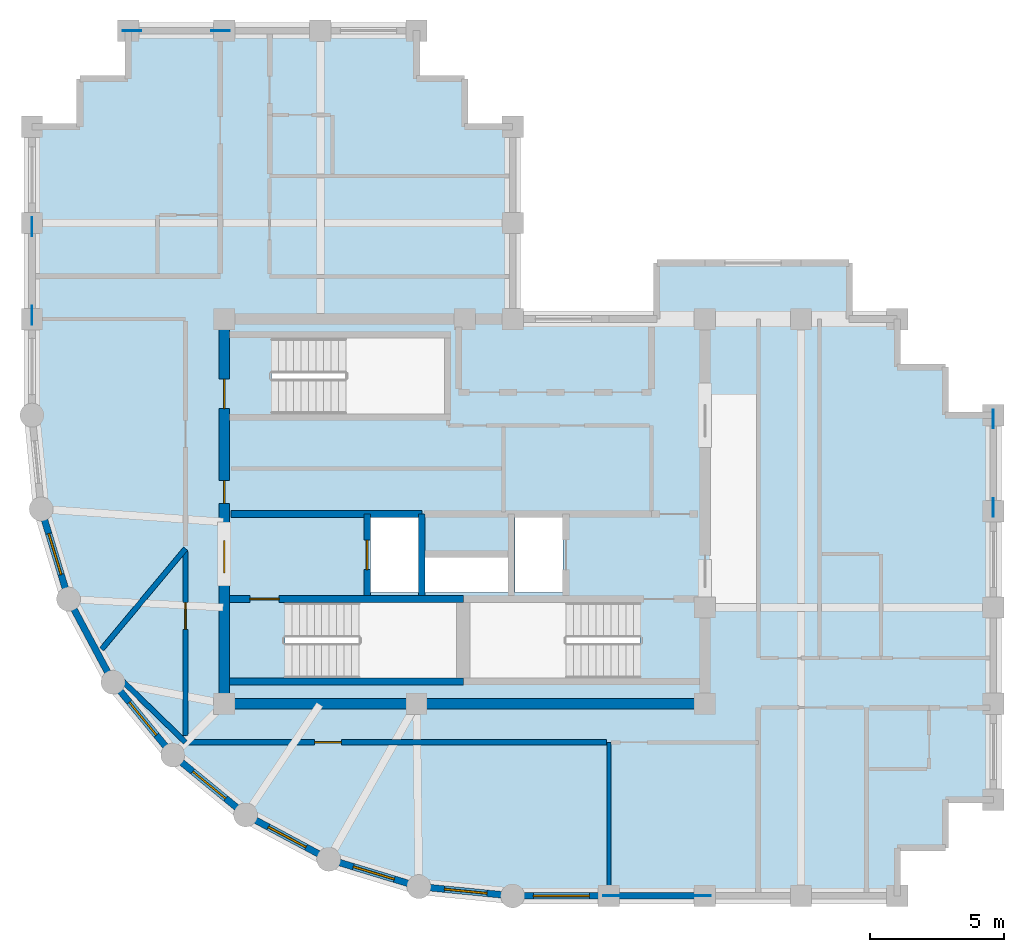
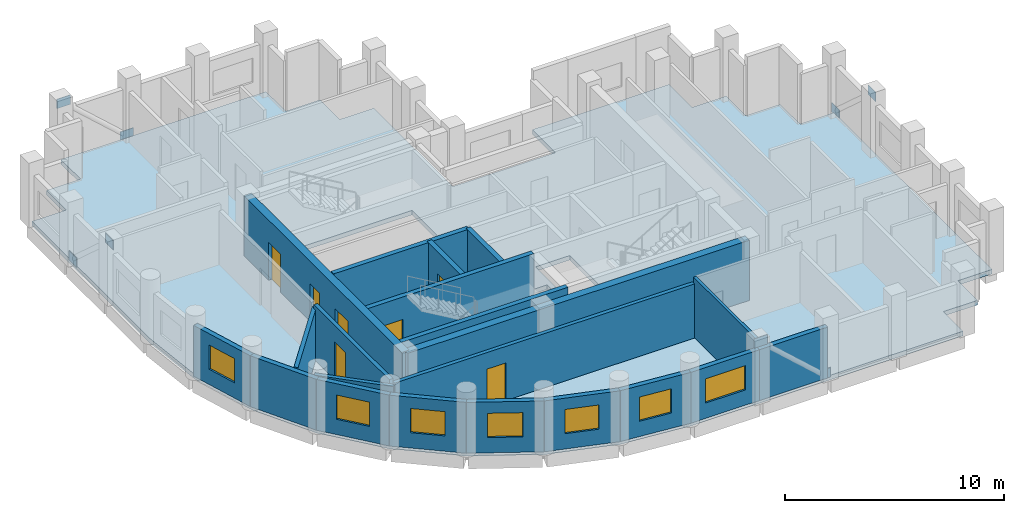
# One storey, part 2 of 6: 21 walls, 8 plates, 7 doors, 7 windows, 1 slab, 14 openings.
"""IFC4 building model written with IfcOpenShell, lengths in metres."""

from ifc_helpers import new_model, si_unit, direction, frame, frame_2d, origin, origin_2d, place, context, subcontext, project, spatial, polyline, rectangle, outline, extrude, material, layer, layer_set, type_object, element, fill, save


model = new_model("IFC4")

# Units and contexts
model_context = context("Model", 3, precision=1e-05, world=origin(), true_north=direction((0.0, 1.0)))
body_context = subcontext(model_context, "Body", "Model", "MODEL_VIEW")
ifc_project = project(units=[si_unit("LENGTHUNIT", "METRE"), si_unit("AREAUNIT", "SQUARE_METRE"), si_unit("VOLUMEUNIT", "CUBIC_METRE"), si_unit("PLANEANGLEUNIT", "RADIAN"), si_unit("MASSUNIT", "GRAM", prefix="KILO")], contexts=[model_context])

# Site, building, storey
site_placement = place(None, origin())
site = spatial("IfcSite", under=ifc_project, at=site_placement, CompositionType="ELEMENT")
building_placement = place(site_placement, origin())
building = spatial("IfcBuilding", under=site, at=building_placement, Name="Solnavia Interchange Tower", CompositionType="ELEMENT")
storey_placement = place(building_placement, frame((0.0, 0.0, 255.800048828125)))
storey = spatial("IfcBuildingStorey", under=building, at=storey_placement, Name="L64", CompositionType="ELEMENT", Elevation=255.800048828125)

# Plates
ifc_material_1 = material(Name="Steel S460", Category="steel")
ifc_layer_1 = layer(ifc_material_1, 0.030029296875)
ifc_layer_set_1 = layer_set([ifc_layer_1], Name="Steel S460")
plate_type = type_object("IfcPlateType", Name="Plate-Gusset-700x520x30", PredefinedType="USERDEFINED", material=ifc_layer_set_1)
for number, where, z_axis, x_axis, name in (
    (1, (32.260009765625, 3.60009765625, -0.080078125), (0.0, 0.0, 1.0), (-1.0, 0.0, 0.0), "PLT-L64-GP01 Perimeter brace gusset plate"),
    (2, (28.93994140625, 3.60009765625, 2.909912109375), (0.0, 0.0, 1.0), (-1.0, 0.0, 0.0), "PLT-L64-GP02 Perimeter brace gusset plate"),
    (3, (7.199951171875, 28.659912109375, -0.080078125), (0.0, 0.0, 1.0), (0.0, -1.0, 0.0), "PLT-L64-GP03 Perimeter brace gusset plate"),
    (4, (7.199951171875, 25.340087890625, 2.909912109375), (0.0, 0.0, 1.0), (0.0, -1.0, 0.0), "PLT-L64-GP04 Perimeter brace gusset plate"),
    (5, (43.199951171875, 21.4599609375, -0.080078125), (0.0, 0.0, 1.0), (0.0, -1.0, 0.0), "PLT-L64-GP05 Perimeter brace gusset plate"),
    (6, (43.199951171875, 18.139892578125, 2.909912109375), (0.0, 0.0, 1.0), (0.0, -1.0, 0.0), "PLT-L64-GP06 Perimeter brace gusset plate"),
    (7, (14.260009765625, 36.0, -0.080078125), (0.0, 0.0, 1.0), (-1.0, 0.0, 0.0), "PLT-L64-GP07 Perimeter brace gusset plate"),
    (8, (10.93994140625, 36.0, 2.909912109375), (0.0, 0.0, 1.0), (-1.0, 0.0, 0.0), "PLT-L64-GP08 Perimeter brace gusset plate"),
):
    element("IfcPlate", number, at=place(storey_placement, frame(where, z_axis=z_axis, x_axis=x_axis)), inside=storey, type_object=plate_type, Name=name, ObjectType="GUSSET PLATE", PredefinedType="USERDEFINED", context=body_context, shape_type="SweptSolid", body=[
        extrude(rectangle(XDim=0.699951171875, YDim=0.030029296875, at=origin_2d()), origin(), (0.0, 0.0, 1.0), 0.52001953125),
    ])

# Slab
ifc_material_2 = material(Name="Concrete C40/50", Category="concrete")
ifc_layer_2 = layer(ifc_material_2, 0.25)
ifc_layer_set_2 = layer_set([ifc_layer_2], Name="Concrete C40/50")
slab_type = type_object("IfcSlabType", Name="Slab-Tower-250", PredefinedType="FLOOR", material=ifc_layer_set_2)
slab_placement = place(storey_placement, frame((0.0, 0.0, -0.25)))
element("IfcSlab", 9, at=slab_placement, inside=storey, type_object=slab_type, Name="SLB-L64-01 Structural floor slab", PredefinedType="FLOOR", context=body_context, shape_type="SweptSolid", body=[
    extrude(outline(polyline([(25.199951171875, 3.60009765625), (39.60009765625, 3.60009765625), (39.60009765625, 5.39990234375), (41.39990234375, 5.39990234375), (41.39990234375, 7.199951171875), (43.199951171875, 7.199951171875), (43.199951171875, 21.60009765625), (41.39990234375, 21.60009765625), (41.39990234375, 23.39990234375), (39.60009765625, 23.39990234375), (39.60009765625, 25.199951171875), (37.800048828125, 25.199951171875), (37.800048828125, 27.300048828125), (30.60009765625, 27.300048828125), (30.60009765625, 25.199951171875), (25.199951171875, 25.199951171875), (25.199951171875, 32.39990234375), (23.39990234375, 32.39990234375), (23.39990234375, 34.199951171875), (21.60009765625, 34.199951171875), (21.60009765625, 36.0), (10.800048828125, 36.0), (10.800048828125, 34.199951171875), (9.0, 34.199951171875), (9.0, 32.39990234375), (7.199951171875, 32.39990234375), (7.199951171875, 21.60009765625), (7.5458984375, 18.087890625), (8.570068359375, 14.7119140625), (10.23388671875, 11.60009765625), (12.471923828125, 8.8720703125), (15.199951171875, 6.634033203125), (18.31201171875, 4.969970703125), (21.68798828125, 3.946044921875), (25.199951171875, 3.60009765625)]), holes=[polyline([(16.675048828125, 11.75), (23.10009765625, 11.75), (23.10009765625, 14.590087890625), (16.675048828125, 14.590087890625), (16.675048828125, 11.75)]), polyline([(23.60009765625, 11.75), (29.97509765625, 11.75), (29.97509765625, 14.590087890625), (23.60009765625, 14.590087890625), (23.60009765625, 11.75)]), polyline([(16.175048828125, 21.64990234375), (22.64990234375, 21.64990234375), (22.64990234375, 24.489990234375), (16.175048828125, 24.489990234375), (16.175048828125, 21.64990234375)]), polyline([(19.8798828125, 14.9599609375), (21.679931640625, 14.9599609375), (21.679931640625, 17.780029296875), (19.8798828125, 17.780029296875), (19.8798828125, 14.9599609375)]), polyline([(25.280029296875, 14.9599609375), (27.080078125, 14.9599609375), (27.080078125, 17.780029296875), (25.280029296875, 17.780029296875), (25.280029296875, 14.9599609375)]), polyline([(21.919921875, 14.9599609375), (25.02001953125, 14.9599609375), (25.02001953125, 16.280029296875), (21.919921875, 16.280029296875), (21.919921875, 14.9599609375)])]), origin(), (0.0, 0.0, 1.0), 0.25),
])

# Walls
ifc_material_3 = material(Name="Gypsum Acoustic Twin-Stud & Mineral Wool", Category="gypsum")
ifc_layer_3 = layer(ifc_material_3, 0.199951171875)
ifc_layer_set_3 = layer_set([ifc_layer_3], Name="Gypsum Acoustic Twin-Stud & Mineral Wool")
wall_type_1 = type_object("IfcWallType", Name="Wall-ApartmentParty-200", PredefinedType="PARTITIONING", material=ifc_layer_set_3)
wall_1_placement = place(storey_placement, frame((12.949951171875, 9.35009765625, 0.0), z_axis=(0.0, 0.0, 1.0), x_axis=(-0.716473772124, 0.697614029287, 0.0)))
element("IfcWall", 10, at=wall_1_placement, inside=storey, type_object=wall_type_1, Name="PTW-L64-09 Interior partition wall", PredefinedType="PARTITIONING", context=body_context, shape_type="SweptSolid", body=[
    extrude(rectangle(XDim=3.728271484375, YDim=0.199951171875, at=frame_2d((1.8642578125, 0.0))), origin(), (0.0, 0.0, 1.0), 2.829833984375),
])
wall_2_placement = place(storey_placement, frame((12.949951171875, 16.60009765625, 0.0), z_axis=(0.0, 0.0, 1.0), x_axis=(-0.640693345459, -0.767796872281, 0.0)))
element("IfcWall", 11, at=wall_2_placement, inside=storey, type_object=wall_type_1, Name="PTW-L64-10 Interior partition wall", PredefinedType="PARTITIONING", context=body_context, shape_type="SweptSolid", body=[
    extrude(rectangle(XDim=4.90576171875, YDim=0.199951171875, at=frame_2d((2.452880859375, 0.0))), origin(), (0.0, 0.0, 1.0), 2.829833984375),
])

# Wall, opening, door
wall_3_placement = place(storey_placement, frame((12.949951171875, 9.601318359375, 0.0), z_axis=(0.0, 0.0, 1.0), x_axis=(0.0, 1.0, 0.0)))
wall_3 = element("IfcWall", 12, at=wall_3_placement, inside=storey, type_object=wall_type_1, Name="PTW-L64-12 Interior partition wall", PredefinedType="PARTITIONING", context=body_context, shape_type="SweptSolid", body=[
    extrude(rectangle(XDim=6.894775390625, YDim=0.199951171875, at=frame_2d((3.447265625, 0.0))), origin(), (0.0, 0.0, 1.0), 3.030029296875),
])
opening_1_placement = place(wall_3_placement, frame((3.97998046875, 0.0, 0.0)))
opening_1 = element("IfcOpeningElement", 13, at=opening_1_placement, cuts=wall_3, Name="Opening DR-07", PredefinedType="OPENING", context=body_context, shape_type="SweptSolid", body=[
    extrude(rectangle(XDim=1.0, YDim=2.10009765625, at=frame_2d((0.5, 1.050048828125))), frame((0.0, 0.10986328125, 0.0), z_axis=(0.0, -1.0, 0.0), x_axis=(1.0, 0.0, 0.0)), (0.0, 0.0, 1.0), 0.219970703125),
])
ifc_material_4 = material(Name="Timber & Acoustic Glazed Office Door", Category="wood")
door_type_1 = type_object("IfcDoorType", Name="Door-Office-1000x2100", OperationType="SINGLE_SWING_RIGHT", PredefinedType="DOOR", material=ifc_material_4)
door_1_placement = place(opening_1_placement, origin())
door_1 = element("IfcDoor", 14, at=door_1_placement, inside=storey, type_object=door_type_1, Name="DR-L64-04 Interior room door", OperationType="SINGLE_SWING_RIGHT", OverallHeight=2.10009765625, OverallWidth=1.0, PredefinedType="DOOR", context=body_context, shape_type="SweptSolid", body=[
    extrude(rectangle(XDim=1.0, YDim=2.10009765625, at=frame_2d((0.5, 1.050048828125))), frame((0.0, 0.02490234375, 0.0), z_axis=(0.0, -1.0, 0.0), x_axis=(1.0, 0.0, 0.0)), (0.0, 0.0, 1.0), 0.050048828125),
])
fill(opening_1, door_1)

wall_4_placement = place(storey_placement, frame((12.949951171875, 9.35009765625, 0.0), z_axis=(0.0, 0.0, 1.0), x_axis=(1.0, 0.0, 0.0)))
wall_4 = element("IfcWall", 15, at=wall_4_placement, inside=storey, type_object=wall_type_1, Name="PTW-L64-13 Interior partition wall", PredefinedType="PARTITIONING", context=body_context, shape_type="SweptSolid", body=[
    extrude(rectangle(XDim=15.77099609375, YDim=0.199951171875, at=frame_2d((7.885498046875, 0.0))), origin(), (0.0, 0.0, 1.0), 3.02001953125),
])
opening_2_placement = place(wall_4_placement, frame((4.8359375, 0.0, 0.0)))
opening_2 = element("IfcOpeningElement", 16, at=opening_2_placement, cuts=wall_4, Name="Opening DR-07", PredefinedType="OPENING", context=body_context, shape_type="SweptSolid", body=[
    extrude(rectangle(XDim=1.0, YDim=2.10009765625, at=frame_2d((0.5, 1.050048828125))), frame((0.0, 0.10986328125, 0.0), z_axis=(0.0, -1.0, 0.0), x_axis=(1.0, 0.0, 0.0)), (0.0, 0.0, 1.0), 0.219970703125),
])
door_2_placement = place(opening_2_placement, origin())
door_2 = element("IfcDoor", 17, at=door_2_placement, inside=storey, type_object=door_type_1, Name="DR-L64-05 Interior room door", OperationType="SINGLE_SWING_LEFT", OverallHeight=2.10009765625, OverallWidth=1.0, PredefinedType="DOOR", context=body_context, shape_type="SweptSolid", body=[
    extrude(rectangle(XDim=1.0, YDim=2.10009765625, at=frame_2d((0.5, 1.050048828125))), frame((0.0, 0.02490234375, 0.0), z_axis=(0.0, -1.0, 0.0), x_axis=(1.0, 0.0, 0.0)), (0.0, 0.0, 1.0), 0.050048828125),
])
fill(opening_2, door_2)

# Wall, opening, window
ifc_layer_4 = layer(ifc_material_2, 0.25)
ifc_layer_set_4 = layer_set([ifc_layer_4], Name="Concrete C40/50")
wall_type_2 = type_object("IfcWallType", Name="Wall-ExtSpandrel-250", PredefinedType="STANDARD", material=ifc_layer_set_4)
wall_5_placement = place(storey_placement, frame((28.800048828125, 3.60009765625, 0.0), z_axis=(0.0, 0.0, 1.0), x_axis=(-1.0, 0.0, 0.0)))
wall_5 = element("IfcWall", 18, at=wall_5_placement, inside=storey, type_object=wall_type_2, Name="EXW-L64-01 Exterior precast spandrel wall", PredefinedType="STANDARD", context=body_context, shape_type="SweptSolid", body=[
    extrude(rectangle(XDim=3.60009765625, YDim=0.25, at=frame_2d((1.800048828125, 0.0))), origin(), (0.0, 0.0, 1.0), 2.829833984375),
])
opening_3_placement = place(wall_5_placement, frame((0.72509765625, 0.0, 0.85009765625)))
opening_3 = element("IfcOpeningElement", 19, at=opening_3_placement, cuts=wall_5, Name="Opening WIN-01", PredefinedType="OPENING", context=body_context, shape_type="SweptSolid", body=[
    extrude(rectangle(XDim=2.10009765625, YDim=1.35009765625, at=frame_2d((1.050048828125, 0.675048828125))), frame((0.0, 0.135009765625, 0.0), z_axis=(0.0, -1.0, 0.0), x_axis=(1.0, 0.0, 0.0)), (0.0, 0.0, 1.0), 0.27001953125),
])
ifc_material_5 = material(Name="Thermal-Break Aluminium & Low-E Glass", Category="aluminium")
window_type_1 = type_object("IfcWindowType", Name="Window-Ribbon-2100x1350", PartitioningType="SINGLE_PANEL", PredefinedType="WINDOW", material=ifc_material_5)
window_1_placement = place(opening_3_placement, origin())
window_1 = element("IfcWindow", 20, at=window_1_placement, inside=storey, type_object=window_type_1, Name="WIN-L64-01 Facade ribbon window", OverallHeight=1.35009765625, OverallWidth=2.10009765625, PartitioningType="SINGLE_PANEL", PredefinedType="WINDOW", context=body_context, shape_type="SweptSolid", body=[
    extrude(rectangle(XDim=2.10009765625, YDim=1.35009765625, at=frame_2d((1.050048828125, 0.675048828125))), frame((0.0, 0.030029296875, 0.0), z_axis=(0.0, -1.0, 0.0), x_axis=(1.0, 0.0, 0.0)), (0.0, 0.0, 1.0), 0.06005859375),
])
fill(opening_3, window_1)

# Wall
wall_6_placement = place(storey_placement, frame((32.39990234375, 3.60009765625, 0.0), z_axis=(0.0, 0.0, 1.0), x_axis=(-1.0, 0.0, 0.0)))
element("IfcWall", 21, at=wall_6_placement, inside=storey, type_object=wall_type_2, Name="EXW-L64-02 Exterior precast spandrel wall", PredefinedType="STANDARD", context=body_context, shape_type="SweptSolid", body=[
    extrude(rectangle(XDim=3.599853515625, YDim=0.25, at=frame_2d((1.7998046875, 0.0))), origin(), (0.0, 0.0, 1.0), 2.829833984375),
])

# Wall, opening, window
wall_7_placement = place(storey_placement, frame((8.570068359375, 14.7119140625, 0.0), z_axis=(0.0, 0.0, 1.0), x_axis=(-0.290305086481, 0.956934144423, 0.0)))
wall_7 = element("IfcWall", 22, at=wall_7_placement, inside=storey, type_object=wall_type_2, Name="EXW-L64-42 Exterior precast spandrel wall", PredefinedType="STANDARD", context=body_context, shape_type="SweptSolid", body=[
    extrude(rectangle(XDim=3.52783203125, YDim=0.25, at=frame_2d((1.763916015625, 0.0))), origin(), (0.0, 0.0, 1.0), 2.829833984375),
])
opening_4_placement = place(wall_7_placement, frame((0.964111328125, 0.0, 0.85009765625)))
opening_4 = element("IfcOpeningElement", 23, at=opening_4_placement, cuts=wall_7, Name="Opening WIN-04", PredefinedType="OPENING", context=body_context, shape_type="SweptSolid", body=[
    extrude(rectangle(XDim=1.60009765625, YDim=1.35009765625, at=frame_2d((0.800048828125, 0.675048828125))), frame((0.0, 0.135009765625, 0.0), z_axis=(0.0, -1.0, 0.0), x_axis=(1.0, 0.0, 0.0)), (0.0, 0.0, 1.0), 0.27001953125),
])
window_type_2 = type_object("IfcWindowType", Name="Window-Drum-1600x1350", PartitioningType="SINGLE_PANEL", PredefinedType="WINDOW", material=ifc_material_5)
window_2_placement = place(opening_4_placement, origin())
window_2 = element("IfcWindow", 24, at=window_2_placement, inside=storey, type_object=window_type_2, Name="WIN-L64-42 Facade ribbon window", OverallHeight=1.35009765625, OverallWidth=1.60009765625, PartitioningType="SINGLE_PANEL", PredefinedType="WINDOW", context=body_context, shape_type="SweptSolid", body=[
    extrude(rectangle(XDim=1.60009765625, YDim=1.35009765625, at=frame_2d((0.800048828125, 0.675048828125))), frame((0.0, 0.030029296875, 0.0), z_axis=(0.0, -1.0, 0.0), x_axis=(1.0, 0.0, 0.0)), (0.0, 0.0, 1.0), 0.06005859375),
])
fill(opening_4, window_2)

# Wall
wall_8_placement = place(storey_placement, frame((10.23388671875, 11.60009765625, 0.0), z_axis=(0.0, 0.0, 1.0), x_axis=(-0.47151087309, 0.881860247748, 0.0)))
element("IfcWall", 25, at=wall_8_placement, inside=storey, type_object=wall_type_2, Name="EXW-L64-43 Exterior precast spandrel wall", PredefinedType="STANDARD", context=body_context, shape_type="SweptSolid", body=[
    extrude(rectangle(XDim=3.52880859375, YDim=0.25, at=frame_2d((1.764404296875, 0.0))), origin(), (0.0, 0.0, 1.0), 2.829833984375),
])

# Wall, opening, window
wall_9_placement = place(storey_placement, frame((12.471923828125, 8.8720703125, 0.0), z_axis=(0.0, 0.0, 1.0), x_axis=(-0.634258295121, 0.773121216285, 0.0)))
wall_9 = element("IfcWall", 26, at=wall_9_placement, inside=storey, type_object=wall_type_2, Name="EXW-L64-44 Exterior precast spandrel wall", PredefinedType="STANDARD", context=body_context, shape_type="SweptSolid", body=[
    extrude(rectangle(XDim=3.528564453125, YDim=0.25, at=frame_2d((1.76416015625, 0.0))), origin(), (0.0, 0.0, 1.0), 2.829833984375),
])
opening_5_placement = place(wall_9_placement, frame((0.964111328125, 0.0, 0.85009765625)))
opening_5 = element("IfcOpeningElement", 27, at=opening_5_placement, cuts=wall_9, Name="Opening WIN-04", PredefinedType="OPENING", context=body_context, shape_type="SweptSolid", body=[
    extrude(rectangle(XDim=1.60009765625, YDim=1.35009765625, at=frame_2d((0.800048828125, 0.675048828125))), frame((0.0, 0.135009765625, 0.0), z_axis=(0.0, -1.0, 0.0), x_axis=(1.0, 0.0, 0.0)), (0.0, 0.0, 1.0), 0.27001953125),
])
window_3_placement = place(opening_5_placement, origin())
window_3 = element("IfcWindow", 28, at=window_3_placement, inside=storey, type_object=window_type_2, Name="WIN-L64-44 Facade ribbon window", OverallHeight=1.35009765625, OverallWidth=1.60009765625, PartitioningType="SINGLE_PANEL", PredefinedType="WINDOW", context=body_context, shape_type="SweptSolid", body=[
    extrude(rectangle(XDim=1.60009765625, YDim=1.35009765625, at=frame_2d((0.800048828125, 0.675048828125))), frame((0.0, 0.030029296875, 0.0), z_axis=(0.0, -1.0, 0.0), x_axis=(1.0, 0.0, 0.0)), (0.0, 0.0, 1.0), 0.06005859375),
])
fill(opening_5, window_3)

wall_10_placement = place(storey_placement, frame((15.199951171875, 6.634033203125, 0.0), z_axis=(0.0, 0.0, 1.0), x_axis=(-0.773121216285, 0.634258295121, 0.0)))
wall_10 = element("IfcWall", 29, at=wall_10_placement, inside=storey, type_object=wall_type_2, Name="EXW-L64-45 Exterior precast spandrel wall", PredefinedType="STANDARD", context=body_context, shape_type="SweptSolid", body=[
    extrude(rectangle(XDim=3.528564453125, YDim=0.25, at=frame_2d((1.76416015625, 0.0))), origin(), (0.0, 0.0, 1.0), 2.829833984375),
])
opening_6_placement = place(wall_10_placement, frame((0.964111328125, 0.0, 0.85009765625)))
opening_6 = element("IfcOpeningElement", 30, at=opening_6_placement, cuts=wall_10, Name="Opening WIN-04", PredefinedType="OPENING", context=body_context, shape_type="SweptSolid", body=[
    extrude(rectangle(XDim=1.60009765625, YDim=1.35009765625, at=frame_2d((0.800048828125, 0.675048828125))), frame((0.0, 0.135009765625, 0.0), z_axis=(0.0, -1.0, 0.0), x_axis=(1.0, 0.0, 0.0)), (0.0, 0.0, 1.0), 0.27001953125),
])
window_4_placement = place(opening_6_placement, origin())
window_4 = element("IfcWindow", 31, at=window_4_placement, inside=storey, type_object=window_type_2, Name="WIN-L64-45 Facade ribbon window", OverallHeight=1.35009765625, OverallWidth=1.60009765625, PartitioningType="SINGLE_PANEL", PredefinedType="WINDOW", context=body_context, shape_type="SweptSolid", body=[
    extrude(rectangle(XDim=1.60009765625, YDim=1.35009765625, at=frame_2d((0.800048828125, 0.675048828125))), frame((0.0, 0.030029296875, 0.0), z_axis=(0.0, -1.0, 0.0), x_axis=(1.0, 0.0, 0.0)), (0.0, 0.0, 1.0), 0.06005859375),
])
fill(opening_6, window_4)

wall_11_placement = place(storey_placement, frame((18.31201171875, 4.969970703125, 0.0), z_axis=(0.0, 0.0, 1.0), x_axis=(-0.881846862014, 0.471535907389, 0.0)))
wall_11 = element("IfcWall", 32, at=wall_11_placement, inside=storey, type_object=wall_type_2, Name="EXW-L64-46 Exterior precast spandrel wall", PredefinedType="STANDARD", context=body_context, shape_type="SweptSolid", body=[
    extrude(rectangle(XDim=3.529052734375, YDim=0.25, at=frame_2d((1.7646484375, 0.0))), origin(), (0.0, 0.0, 1.0), 2.829833984375),
])
opening_7_placement = place(wall_11_placement, frame((0.964111328125, 0.0, 0.85009765625)))
opening_7 = element("IfcOpeningElement", 33, at=opening_7_placement, cuts=wall_11, Name="Opening WIN-04", PredefinedType="OPENING", context=body_context, shape_type="SweptSolid", body=[
    extrude(rectangle(XDim=1.60009765625, YDim=1.35009765625, at=frame_2d((0.800048828125, 0.675048828125))), frame((0.0, 0.135009765625, 0.0), z_axis=(0.0, -1.0, 0.0), x_axis=(1.0, 0.0, 0.0)), (0.0, 0.0, 1.0), 0.27001953125),
])
window_5_placement = place(opening_7_placement, origin())
window_5 = element("IfcWindow", 34, at=window_5_placement, inside=storey, type_object=window_type_2, Name="WIN-L64-46 Facade ribbon window", OverallHeight=1.35009765625, OverallWidth=1.60009765625, PartitioningType="SINGLE_PANEL", PredefinedType="WINDOW", context=body_context, shape_type="SweptSolid", body=[
    extrude(rectangle(XDim=1.60009765625, YDim=1.35009765625, at=frame_2d((0.800048828125, 0.675048828125))), frame((0.0, 0.030029296875, 0.0), z_axis=(0.0, -1.0, 0.0), x_axis=(1.0, 0.0, 0.0)), (0.0, 0.0, 1.0), 0.06005859375),
])
fill(opening_7, window_5)

wall_12_placement = place(storey_placement, frame((21.68798828125, 3.946044921875, 0.0), z_axis=(0.0, 0.0, 1.0), x_axis=(-0.956953367403, 0.290241714123, 0.0)))
wall_12 = element("IfcWall", 35, at=wall_12_placement, inside=storey, type_object=wall_type_2, Name="EXW-L64-47 Exterior precast spandrel wall", PredefinedType="STANDARD", context=body_context, shape_type="SweptSolid", body=[
    extrude(rectangle(XDim=3.52783203125, YDim=0.25, at=frame_2d((1.763916015625, 0.0))), origin(), (0.0, 0.0, 1.0), 2.829833984375),
])
opening_8_placement = place(wall_12_placement, frame((0.964111328125, 0.0, 0.85009765625)))
opening_8 = element("IfcOpeningElement", 36, at=opening_8_placement, cuts=wall_12, Name="Opening WIN-04", PredefinedType="OPENING", context=body_context, shape_type="SweptSolid", body=[
    extrude(rectangle(XDim=1.60009765625, YDim=1.35009765625, at=frame_2d((0.800048828125, 0.675048828125))), frame((0.0, 0.135009765625, 0.0), z_axis=(0.0, -1.0, 0.0), x_axis=(1.0, 0.0, 0.0)), (0.0, 0.0, 1.0), 0.27001953125),
])
window_6_placement = place(opening_8_placement, origin())
window_6 = element("IfcWindow", 37, at=window_6_placement, inside=storey, type_object=window_type_2, Name="WIN-L64-47 Facade ribbon window", OverallHeight=1.35009765625, OverallWidth=1.60009765625, PartitioningType="SINGLE_PANEL", PredefinedType="WINDOW", context=body_context, shape_type="SweptSolid", body=[
    extrude(rectangle(XDim=1.60009765625, YDim=1.35009765625, at=frame_2d((0.800048828125, 0.675048828125))), frame((0.0, 0.030029296875, 0.0), z_axis=(0.0, -1.0, 0.0), x_axis=(1.0, 0.0, 0.0)), (0.0, 0.0, 1.0), 0.06005859375),
])
fill(opening_8, window_6)

wall_13_placement = place(storey_placement, frame((25.199951171875, 3.60009765625, 0.0), z_axis=(0.0, 0.0, 1.0), x_axis=(-0.995183369056, 0.098030923459, 0.0)))
wall_13 = element("IfcWall", 38, at=wall_13_placement, inside=storey, type_object=wall_type_2, Name="EXW-L64-48 Exterior precast spandrel wall", PredefinedType="STANDARD", context=body_context, shape_type="SweptSolid", body=[
    extrude(rectangle(XDim=3.529052734375, YDim=0.25, at=frame_2d((1.7646484375, 0.0))), origin(), (0.0, 0.0, 1.0), 2.829833984375),
])
opening_9_placement = place(wall_13_placement, frame((0.965087890625, 0.0, 0.85009765625)))
opening_9 = element("IfcOpeningElement", 39, at=opening_9_placement, cuts=wall_13, Name="Opening WIN-04", PredefinedType="OPENING", context=body_context, shape_type="SweptSolid", body=[
    extrude(rectangle(XDim=1.60009765625, YDim=1.35009765625, at=frame_2d((0.800048828125, 0.675048828125))), frame((0.0, 0.135009765625, 0.0), z_axis=(0.0, -1.0, 0.0), x_axis=(1.0, 0.0, 0.0)), (0.0, 0.0, 1.0), 0.27001953125),
])
window_7_placement = place(opening_9_placement, origin())
window_7 = element("IfcWindow", 40, at=window_7_placement, inside=storey, type_object=window_type_2, Name="WIN-L64-48 Facade ribbon window", OverallHeight=1.35009765625, OverallWidth=1.60009765625, PartitioningType="SINGLE_PANEL", PredefinedType="WINDOW", context=body_context, shape_type="SweptSolid", body=[
    extrude(rectangle(XDim=1.60009765625, YDim=1.35009765625, at=frame_2d((0.800048828125, 0.675048828125))), frame((0.0, 0.030029296875, 0.0), z_axis=(0.0, -1.0, 0.0), x_axis=(1.0, 0.0, 0.0)), (0.0, 0.0, 1.0), 0.06005859375),
])
fill(opening_9, window_7)

# Walls
ifc_material_6 = material(Name="Gypsum Plasterboard & Steel Stud", Category="steel")
ifc_layer_5 = layer(ifc_material_6, 0.14990234375)
ifc_layer_set_5 = layer_set([ifc_layer_5], Name="Gypsum Plasterboard & Steel Stud")
wall_type_3 = type_object("IfcWallType", Name="Wall-Partition-150", PredefinedType="PARTITIONING", material=ifc_layer_set_5)
wall_14_placement = place(storey_placement, frame((28.800048828125, 9.35009765625, 0.0), z_axis=(0.0, 0.0, 1.0), x_axis=(0.0, -1.0, 0.0)))
element("IfcWall", 41, at=wall_14_placement, inside=storey, type_object=wall_type_3, Name="PTW-L64-08 Interior partition wall", PredefinedType="PARTITIONING", context=body_context, shape_type="SweptSolid", body=[
    extrude(rectangle(XDim=5.62109375, YDim=0.14990234375, at=frame_2d((2.810546875, 0.0))), origin(), (0.0, 0.0, 1.0), 3.3349609375),
])
ifc_layer_6 = layer(ifc_material_2, 0.25)
ifc_layer_set_6 = layer_set([ifc_layer_6], Name="Concrete C40/50")
wall_type_4 = type_object("IfcWallType", Name="Wall-ShaftCore-250", PredefinedType="SHEAR", material=ifc_layer_set_6)
wall_15_placement = place(storey_placement, frame((14.60009765625, 11.625, 0.0), z_axis=(0.0, 0.0, 1.0), x_axis=(1.0, 0.0, 0.0)))
element("IfcWall", 42, at=wall_15_placement, inside=storey, type_object=wall_type_4, Name="SHW-L64-ST1S Core shear wall", PredefinedType="SHEAR", context=body_context, shape_type="SweptSolid", body=[
    extrude(rectangle(XDim=8.75, YDim=0.25, at=frame_2d((4.375, 0.0))), origin(), (0.0, 0.0, 1.0), 3.349853515625),
])

# Wall, opening, door
wall_16_placement = place(storey_placement, frame((14.60009765625, 14.715087890625, 0.0), z_axis=(0.0, 0.0, 1.0), x_axis=(1.0, 0.0, 0.0)))
wall_16 = element("IfcWall", 43, at=wall_16_placement, inside=storey, type_object=wall_type_4, Name="SHW-L64-ST1N Core shear wall", PredefinedType="SHEAR", context=body_context, shape_type="SweptSolid", body=[
    extrude(rectangle(XDim=8.75, YDim=0.25, at=frame_2d((4.375, 0.0))), origin(), (0.0, 0.0, 1.0), 3.349853515625),
])
opening_10_placement = place(wall_16_placement, frame((0.7548828125, 0.0, 0.0)))
opening_10 = element("IfcOpeningElement", 44, at=opening_10_placement, cuts=wall_16, Name="Opening DR-01", PredefinedType="OPENING", context=body_context, shape_type="SweptSolid", body=[
    extrude(rectangle(XDim=1.10009765625, YDim=2.10009765625, at=frame_2d((0.550048828125, 1.050048828125))), frame((0.0, 0.135009765625, 0.0), z_axis=(0.0, -1.0, 0.0), x_axis=(1.0, 0.0, 0.0)), (0.0, 0.0, 1.0), 0.27001953125),
])
ifc_material_7 = material(Name="Steel Fire-Rated Leaf & Frame", Category="steel")
door_type_2 = type_object("IfcDoorType", Name="Door-StairFire-1100x2100", OperationType="SINGLE_SWING_LEFT", PredefinedType="DOOR", material=ifc_material_7)
door_3_placement = place(opening_10_placement, origin())
door_3 = element("IfcDoor", 45, at=door_3_placement, inside=storey, type_object=door_type_2, Name="DR-L64-ST1 Core fire door", OperationType="SINGLE_SWING_LEFT", OverallHeight=2.10009765625, OverallWidth=1.10009765625, PredefinedType="DOOR", context=body_context, shape_type="SweptSolid", body=[
    extrude(rectangle(XDim=1.10009765625, YDim=2.10009765625, at=frame_2d((0.550048828125, 1.050048828125))), frame((0.0, 0.02490234375, 0.0), z_axis=(0.0, -1.0, 0.0), x_axis=(1.0, 0.0, 0.0)), (0.0, 0.0, 1.0), 0.050048828125),
])
fill(opening_10, door_3)

# Wall
ifc_layer_7 = layer(ifc_material_2, 0.25)
ifc_layer_set_7 = layer_set([ifc_layer_7], Name="Concrete C40/50")
wall_type_5 = type_object("IfcWallType", Name="Wall-ShaftPart-250", PredefinedType="PARTITIONING", material=ifc_layer_set_7)
wall_17_placement = place(storey_placement, frame((14.64990234375, 17.89990234375, 0.0), z_axis=(0.0, 0.0, 1.0), x_axis=(1.0, 0.0, 0.0)))
element("IfcWall", 46, at=wall_17_placement, inside=storey, type_object=wall_type_5, Name="SHW-L64-FFLW-N Core shaft wall", PredefinedType="PARTITIONING", context=body_context, shape_type="SweptSolid", body=[
    extrude(rectangle(XDim=7.150146484375, YDim=0.25, at=frame_2d((3.5751953125, 0.0))), origin(), (0.0, 0.0, 1.0), 3.3349609375),
])

# Wall, opening, door
wall_18_placement = place(storey_placement, frame((19.75, 14.840087890625, 0.0), z_axis=(0.0, 0.0, 1.0), x_axis=(0.0, 1.0, 0.0)))
wall_18 = element("IfcWall", 47, at=wall_18_placement, inside=storey, type_object=wall_type_5, Name="SHW-L64-FFL1-W Core shaft wall", PredefinedType="PARTITIONING", context=body_context, shape_type="SweptSolid", body=[
    extrude(rectangle(XDim=3.059814453125, YDim=0.25, at=frame_2d((1.52978515625, 0.0))), origin(), (0.0, 0.0, 1.0), 3.3349609375),
])
opening_11_placement = place(wall_18_placement, frame((0.97998046875, 0.0, 0.0)))
opening_11 = element("IfcOpeningElement", 48, at=opening_11_placement, cuts=wall_18, Name="Opening LD-01", PredefinedType="OPENING", context=body_context, shape_type="SweptSolid", body=[
    extrude(rectangle(XDim=1.10009765625, YDim=2.10009765625, at=frame_2d((0.550048828125, 1.050048828125))), frame((0.0, 0.135009765625, 0.0), z_axis=(0.0, -1.0, 0.0), x_axis=(1.0, 0.0, 0.0)), (0.0, 0.0, 1.0), 0.27001953125),
])
ifc_material_8 = material(Name="Brushed Stainless Steel Sliding Door", Category="steel")
door_type_3 = type_object("IfcDoorType", Name="Door-LiftLanding-1100x2100", OperationType="SLIDING_TO_LEFT", PredefinedType="DOOR", material=ifc_material_8)
door_4_placement = place(opening_11_placement, origin())
door_4 = element("IfcDoor", 49, at=door_4_placement, inside=storey, type_object=door_type_3, Name="LD-L64-FFL1 Lift landing sliding door", OperationType="SLIDING_TO_LEFT", OverallHeight=2.10009765625, OverallWidth=1.10009765625, PredefinedType="DOOR", context=body_context, shape_type="SweptSolid", body=[
    extrude(rectangle(XDim=1.10009765625, YDim=2.10009765625, at=frame_2d((0.550048828125, 1.050048828125))), frame((0.0, 0.02490234375, 0.0), z_axis=(0.0, -1.0, 0.0), x_axis=(1.0, 0.0, 0.0)), (0.0, 0.0, 1.0), 0.050048828125),
])
fill(opening_11, door_4)

# Walls
wall_19_placement = place(storey_placement, frame((21.800048828125, 14.840087890625, 0.0), z_axis=(0.0, 0.0, 1.0), x_axis=(0.0, 1.0, 0.0)))
element("IfcWall", 50, at=wall_19_placement, inside=storey, type_object=wall_type_5, Name="SHW-L64-FFL1-E Core shaft wall", PredefinedType="PARTITIONING", context=body_context, shape_type="SweptSolid", body=[
    extrude(rectangle(XDim=3.059814453125, YDim=0.25, at=frame_2d((1.52978515625, 0.0))), origin(), (0.0, 0.0, 1.0), 3.3349609375),
])
ifc_material_9 = material(Name="Concrete C50/60", Category="concrete")
ifc_layer_8 = layer(ifc_material_9, 0.39990234375)
ifc_layer_set_8 = layer_set([ifc_layer_8], Name="Concrete C50/60")
wall_type_6 = type_object("IfcWallType", Name="Wall-ShearCore-400", PredefinedType="SHEAR", material=ifc_layer_set_8)
wall_20_placement = place(storey_placement, frame((14.39990234375, 10.800048828125, 0.0), z_axis=(0.0, 0.0, 1.0), x_axis=(1.0, 0.0, 0.0)))
element("IfcWall", 51, at=wall_20_placement, inside=storey, type_object=wall_type_6, Name="CRW-L64-S Core shear wall", PredefinedType="SHEAR", context=body_context, shape_type="SweptSolid", body=[
    extrude(rectangle(XDim=18.0, YDim=0.39990234375, at=frame_2d((9.0, 0.0))), origin(), (0.0, 0.0, 1.0), 3.349853515625),
])

# Wall, openings, doors
wall_21_placement = place(storey_placement, frame((14.39990234375, 10.800048828125, 0.0), z_axis=(0.0, 0.0, 1.0), x_axis=(0.0, 1.0, 0.0)))
wall_21 = element("IfcWall", 52, at=wall_21_placement, inside=storey, type_object=wall_type_6, Name="CRW-L64-W Core shear wall", PredefinedType="SHEAR", context=body_context, shape_type="SweptSolid", body=[
    extrude(rectangle(XDim=14.39990234375, YDim=0.39990234375, at=frame_2d((7.199951171875, 0.0))), origin(), (0.0, 0.0, 1.0), 3.349853515625),
])
opening_12_placement = place(wall_21_placement, frame((11.050048828125, 0.0, 0.0)))
opening_12 = element("IfcOpeningElement", 53, at=opening_12_placement, cuts=wall_21, Name="Opening DR-01", PredefinedType="OPENING", context=body_context, shape_type="SweptSolid", body=[
    extrude(rectangle(XDim=1.10009765625, YDim=2.10009765625, at=frame_2d((0.550048828125, 1.050048828125))), frame((0.0, 0.2099609375, 0.0), z_axis=(0.0, -1.0, 0.0), x_axis=(1.0, 0.0, 0.0)), (0.0, 0.0, 1.0), 0.419921875),
])
opening_13_placement = place(wall_21_placement, frame((4.89990234375, 0.0, 0.0)))
opening_13 = element("IfcOpeningElement", 54, at=opening_13_placement, cuts=wall_21, Name="Opening DR-02", PredefinedType="OPENING", context=body_context, shape_type="SweptSolid", body=[
    extrude(rectangle(XDim=1.199951171875, YDim=2.10009765625, at=frame_2d((0.60009765625, 1.050048828125))), frame((0.0, 0.2099609375, 0.0), z_axis=(0.0, -1.0, 0.0), x_axis=(1.0, 0.0, 0.0)), (0.0, 0.0, 1.0), 0.419921875),
])
opening_14_placement = place(wall_21_placement, frame((7.5, 0.0, 0.0)))
opening_14 = element("IfcOpeningElement", 55, at=opening_14_placement, cuts=wall_21, Name="Opening DR-10", PredefinedType="OPENING", context=body_context, shape_type="SweptSolid", body=[
    extrude(rectangle(XDim=0.85009765625, YDim=2.10009765625, at=frame_2d((0.425048828125, 1.050048828125))), frame((0.0, 0.2099609375, 0.0), z_axis=(0.0, -1.0, 0.0), x_axis=(1.0, 0.0, 0.0)), (0.0, 0.0, 1.0), 0.419921875),
])
ifc_material_10 = material(Name="Moisture-Resistant Timber Door", Category="wood")
door_type_4 = type_object("IfcDoorType", Name="Door-Bathroom-850x2100", OperationType="SINGLE_SWING_RIGHT", PredefinedType="DOOR", material=ifc_material_10)
door_5_placement = place(opening_14_placement, origin())
door_5 = element("IfcDoor", 56, at=door_5_placement, inside=storey, type_object=door_type_4, Name="DR-L64-CS1 Core fire door", OperationType="SINGLE_SWING_RIGHT", OverallHeight=2.10009765625, OverallWidth=0.85009765625, PredefinedType="DOOR", context=body_context, shape_type="SweptSolid", body=[
    extrude(rectangle(XDim=0.85009765625, YDim=2.10009765625, at=frame_2d((0.425048828125, 1.050048828125))), frame((0.0, 0.02490234375, 0.0), z_axis=(0.0, -1.0, 0.0), x_axis=(1.0, 0.0, 0.0)), (0.0, 0.0, 1.0), 0.050048828125),
])
fill(opening_14, door_5)
ifc_material_11 = material(Name="Steel Fire-Rated Vision-Panel Door", Category="steel")
door_type_5 = type_object("IfcDoorType", Name="Door-LobbyFire-1200x2100", OperationType="SINGLE_SWING_RIGHT", PredefinedType="DOOR", material=ifc_material_11)
door_6_placement = place(opening_13_placement, origin())
door_6 = element("IfcDoor", 57, at=door_6_placement, inside=storey, type_object=door_type_5, Name="DR-L64-FFL1W Core fire door", OperationType="SINGLE_SWING_RIGHT", OverallHeight=2.10009765625, OverallWidth=1.199951171875, PredefinedType="DOOR", context=body_context, shape_type="SweptSolid", body=[
    extrude(rectangle(XDim=1.199951171875, YDim=2.10009765625, at=frame_2d((0.60009765625, 1.050048828125))), frame((0.0, 0.02490234375, 0.0), z_axis=(0.0, -1.0, 0.0), x_axis=(1.0, 0.0, 0.0)), (0.0, 0.0, 1.0), 0.050048828125),
])
fill(opening_13, door_6)
door_7_placement = place(opening_12_placement, origin())
door_7 = element("IfcDoor", 58, at=door_7_placement, inside=storey, type_object=door_type_2, Name="DR-L64-ST3 Core fire door", OperationType="SINGLE_SWING_RIGHT", OverallHeight=2.10009765625, OverallWidth=1.10009765625, PredefinedType="DOOR", context=body_context, shape_type="SweptSolid", body=[
    extrude(rectangle(XDim=1.10009765625, YDim=2.10009765625, at=frame_2d((0.550048828125, 1.050048828125))), frame((0.0, 0.02490234375, 0.0), z_axis=(0.0, -1.0, 0.0), x_axis=(1.0, 0.0, 0.0)), (0.0, 0.0, 1.0), 0.050048828125),
])
fill(opening_12, door_7)

save(model, "model.ifc")
